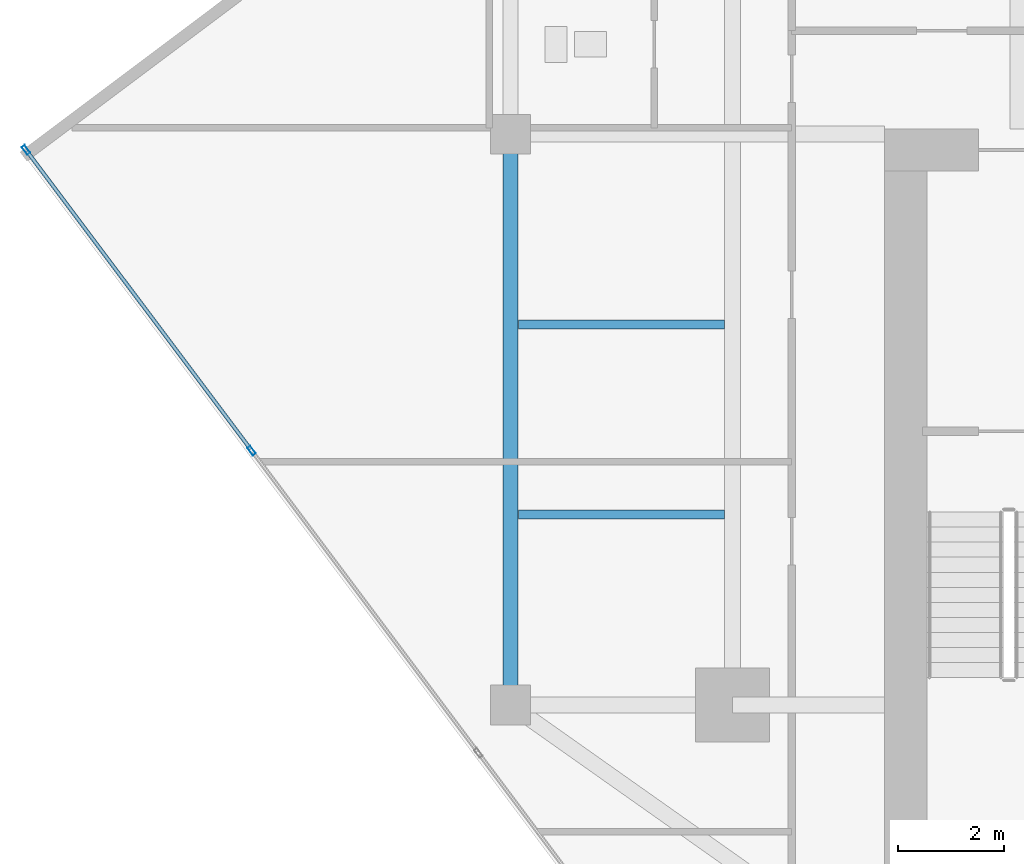
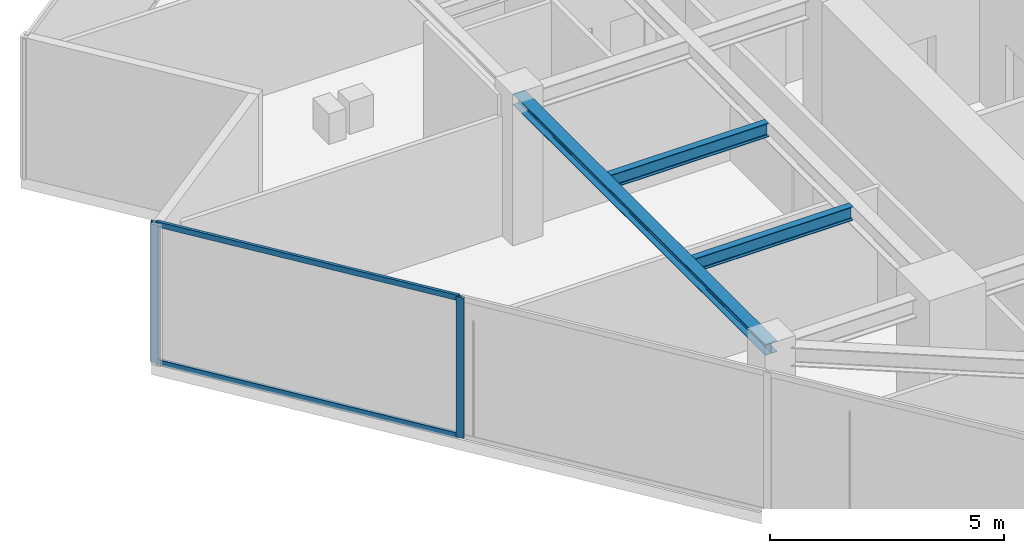
# One storey, part 4 of 21: 4 members, 3 beams, 1 element without a shape of its own.
"""IFC4 building model written with IfcOpenShell, lengths in metres."""

from ifc_helpers import new_model, si_unit, direction, frame, origin, origin_2d, place, context, subcontext, project, spatial, hollow_rectangle, i_section, extrude, source, transform, mapped, material, material_profile, profile_set, type_object, type_shapes, element, aggregate, save


model = new_model("IFC4")

# Units and contexts
model_context = context("Model", 3, precision=1e-05, world=origin(), true_north=direction((0.0, 1.0)))
body_context = subcontext(model_context, "Body", "Model", "MODEL_VIEW")
ifc_project = project(units=[si_unit("LENGTHUNIT", "METRE"), si_unit("AREAUNIT", "SQUARE_METRE"), si_unit("VOLUMEUNIT", "CUBIC_METRE"), si_unit("PLANEANGLEUNIT", "RADIAN"), si_unit("MASSUNIT", "GRAM", prefix="KILO")], contexts=[model_context])

# Site, building, storey
site_placement = place(None, origin())
site = spatial("IfcSite", under=ifc_project, at=site_placement, CompositionType="ELEMENT")
building_placement = place(site_placement, origin())
building = spatial("IfcBuilding", under=site, at=building_placement, Name="Krantzveldt Concourse Tower", CompositionType="ELEMENT")
storey_placement = place(building_placement, frame((0.0, 0.0, 267.39990234375)))
storey = spatial("IfcBuildingStorey", under=building, at=storey_placement, Name="L65", CompositionType="ELEMENT", Elevation=267.39990234375)

# Beams
ifc_material_1 = material(Name="Steel S355JR", Category="steel")
ifc_material_profile_1 = material_profile(ifc_material_1, i_section(OverallWidth=0.2900390625, OverallDepth=0.2900390625, WebThickness=0.008544921875, FlangeThickness=0.013916015625, FilletRadius=0.027099609375, at=origin_2d()), Name="Steel S355JR", Category="steel")
ifc_profile_set_1 = profile_set([ifc_material_profile_1], Name="Steel S355JR - HEA 300")
beam_type_1 = type_object("IfcBeamType", Name="BM-SP-HEA300", PredefinedType="SPANDREL", material=ifc_profile_set_1)
shared_shape_1 = source(origin(), body_context, "Body", "SweptSolid", [
    extrude(i_section(OverallWidth=0.2900390625, OverallDepth=0.2900390625, WebThickness=0.008544921875, FlangeThickness=0.013916015625, FilletRadius=0.027099609375, at=origin_2d()), origin(), (0.0, 0.0, 1.0), 10.800048828125),
])
type_shapes(beam_type_1, [shared_shape_1])
beam_placement = place(storey_placement, frame((21.0, 15.89990234375, 3.525146484375), z_axis=(0.0, 1.0, 0.0), x_axis=(-1.0, 0.0, 0.0)))
element("IfcBeam", 1, at=beam_placement, inside=storey, type_object=beam_type_1, Name="L65 Tower Girder SP-R01", PredefinedType="SPANDREL", context=body_context, shape_type="MappedRepresentation", body=[
    mapped(shared_shape_1, transform((0.0, 0.0, 0.0), x_axis=(1.0, 0.0, 0.0), y_axis=(0.0, 1.0, 0.0), z_axis=(0.0, 0.0, 1.0), scale=1.0)),
])
ifc_material_profile_2 = material_profile(ifc_material_1, i_section(OverallWidth=0.169921875, OverallDepth=0.360107421875, WebThickness=0.008056640625, FlangeThickness=0.0126953125, FilletRadius=0.01806640625, at=origin_2d()), Name="Steel S355JR", Category="steel")
ifc_profile_set_2 = profile_set([ifc_material_profile_2], Name="Steel S355JR - IPE 360")
beam_type_2 = type_object("IfcBeamType", Name="BM-J-IPE360", PredefinedType="JOIST", material=ifc_profile_set_2)
shared_shape_2 = source(origin(), body_context, "Body", "SweptSolid", [
    extrude(i_section(OverallWidth=0.169921875, OverallDepth=0.360107421875, WebThickness=0.008056640625, FlangeThickness=0.0126953125, FilletRadius=0.01806640625, at=origin_2d()), origin(), (0.0, 0.0, 1.0), 3.900146484375),
])
type_shapes(beam_type_2, [shared_shape_2])
for number, where, z_axis, x_axis, name in (
    (2, (21.14990234375, 19.5, 3.489990234375), (1.0, 0.0, 0.0), (0.0, 1.0, 0.0), "L65 Secondary Floor Joist JW-1"),
    (3, (21.14990234375, 23.10009765625, 3.489990234375), (1.0, 0.0, 0.0), (0.0, 1.0, 0.0), "L65 Secondary Floor Joist JW-2"),
):
    element("IfcBeam", number, at=place(storey_placement, frame(where, z_axis=z_axis, x_axis=x_axis)), inside=storey, type_object=beam_type_2, Name=name, PredefinedType="JOIST", context=body_context, shape_type="MappedRepresentation", body=[
        mapped(shared_shape_2, transform((0.0, 0.0, 0.0), x_axis=(1.0, 0.0, 0.0), y_axis=(0.0, 1.0, 0.0), z_axis=(0.0, 0.0, 1.0), scale=1.0)),
    ])

# Curtain wall, members
ifc_material_2 = material(Name="Anodised aluminium 6063-T6", Category="aluminium")
curtain_wall_type = type_object("IfcCurtainWallType", Name="CW4", PredefinedType="USERDEFINED", material=ifc_material_2)
curtain_wall_placement = place(storey_placement, origin())
curtain_wall = element("IfcCurtainWall", 4, at=curtain_wall_placement, inside=storey, type_object=curtain_wall_type, Name="CW-L65-F04", ObjectType="UNITISED CURTAIN WALL", PredefinedType="USERDEFINED")
ifc_material_profile_3 = material_profile(ifc_material_2, hollow_rectangle(XDim=0.070068359375, YDim=0.179931640625, WallThickness=0.0048828125, at=origin_2d()), Name="Anodised aluminium 6063-T6", Category="aluminium")
ifc_profile_set_3 = profile_set([ifc_material_profile_3], Name="Anodised aluminium 6063-T6 - ALU-MULL 180x70x5")
member_type_1 = type_object("IfcMemberType", Name="CW-MUL-180", PredefinedType="MULLION", material=ifc_profile_set_3)
shared_shape_3 = source(origin(), body_context, "Body", "SweptSolid", [
    extrude(hollow_rectangle(XDim=0.070068359375, YDim=0.179931640625, WallThickness=0.0048828125, at=origin_2d()), origin(), (0.0, 0.0, 1.0), 3.670166015625),
])
type_shapes(member_type_1, [shared_shape_3])
member_1_placement = place(storey_placement, frame((11.8330078125, 26.40380859375, 0.0), z_axis=(0.0, 0.0, 1.0), x_axis=(0.799946500313, 0.600071326292, 0.0)))
member_1 = element("IfcMember", 5, at=member_1_placement, type_object=member_type_1, Name="CW-Z56 mullion 1", PredefinedType="MULLION", context=body_context, shape_type="MappedRepresentation", body=[
    mapped(shared_shape_3, transform((0.0, 0.0, 0.0), x_axis=(1.0, 0.0, 0.0), y_axis=(0.0, 1.0, 0.0), z_axis=(0.0, 0.0, 1.0), scale=1.0)),
])
member_2_placement = place(storey_placement, frame((16.1025390625, 20.712158203125, 0.0), z_axis=(0.0, 0.0, 1.0), x_axis=(0.799946500313, 0.600071326292, 0.0)))
member_2 = element("IfcMember", 6, at=member_2_placement, type_object=member_type_1, Name="CW-Z56 mullion 2", PredefinedType="MULLION", context=body_context, shape_type="MappedRepresentation", body=[
    mapped(shared_shape_3, transform((0.0, 0.0, 0.0), x_axis=(1.0, 0.0, 0.0), y_axis=(0.0, 1.0, 0.0), z_axis=(0.0, 0.0, 1.0), scale=1.0)),
])
ifc_material_profile_4 = material_profile(ifc_material_2, hollow_rectangle(XDim=0.070068359375, YDim=0.139892578125, WallThickness=0.0048828125, at=origin_2d()), Name="Anodised aluminium 6063-T6", Category="aluminium")
ifc_profile_set_4 = profile_set([ifc_material_profile_4], Name="Anodised aluminium 6063-T6 - ALU-TRAN 140x70x5")
member_type_2 = type_object("IfcMemberType", Name="CW-TRN-150", PredefinedType="USERDEFINED", material=ifc_profile_set_4)
shared_shape_4 = source(origin(), body_context, "Body", "SweptSolid", [
    extrude(hollow_rectangle(XDim=0.070068359375, YDim=0.139892578125, WallThickness=0.0048828125, at=origin_2d()), origin(), (0.0, 0.0, 1.0), 7.044921875),
])
type_shapes(member_type_2, [shared_shape_4])
member_3_placement = place(storey_placement, frame((11.85400390625, 26.375732421875, 0.03515625), z_axis=(0.600083168368, -0.799937616969, 0.0), x_axis=(0.799937616969, 0.600083168368, 0.0)))
member_3 = element("IfcMember", 7, at=member_3_placement, type_object=member_type_2, Name="CW-Z56 transom 1.1", ObjectType="TRANSOM", PredefinedType="USERDEFINED", context=body_context, shape_type="MappedRepresentation", body=[
    mapped(shared_shape_4, transform((0.0, 0.0, 0.0), x_axis=(1.0, 0.0, 0.0), y_axis=(0.0, 1.0, 0.0), z_axis=(0.0, 0.0, 1.0), scale=1.0)),
])
member_4_placement = place(storey_placement, frame((11.85400390625, 26.375732421875, 3.635009765625), z_axis=(0.600083168368, -0.799937616969, 0.0), x_axis=(0.799937616969, 0.600083168368, 0.0)))
member_4 = element("IfcMember", 8, at=member_4_placement, type_object=member_type_2, Name="CW-Z56 transom 1.2", ObjectType="TRANSOM", PredefinedType="USERDEFINED", context=body_context, shape_type="MappedRepresentation", body=[
    mapped(shared_shape_4, transform((0.0, 0.0, 0.0), x_axis=(1.0, 0.0, 0.0), y_axis=(0.0, 1.0, 0.0), z_axis=(0.0, 0.0, 1.0), scale=1.0)),
])
aggregate(curtain_wall, [member_1, member_2, member_3, member_4])

save(model, "model.ifc")
